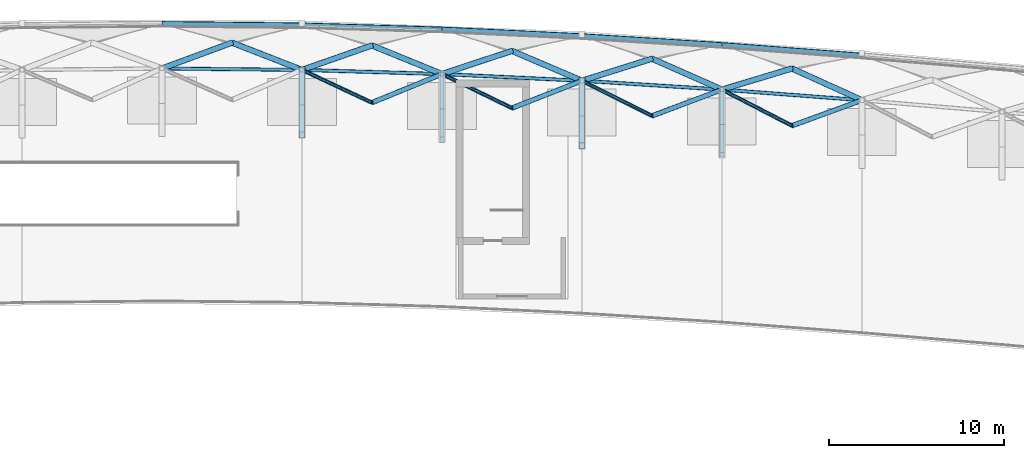
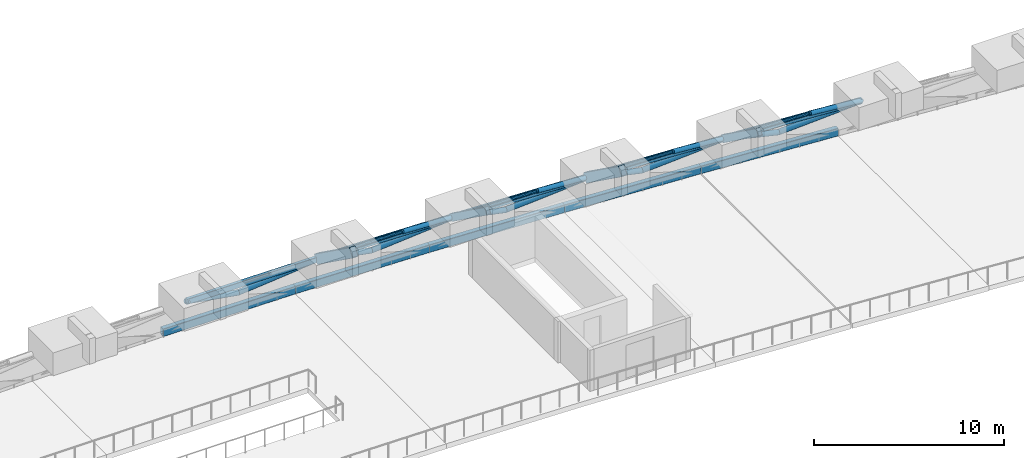
# One storey, part 19 of 67: 18 members, 14 beams.
"""IFC4 building model written with IfcOpenShell, lengths in metres."""

from ifc_helpers import new_model, si_unit, direction, frame, origin, origin_2d, place, context, subcontext, project, spatial, hollow_rectangle, hollow_circle, extrude, material, material_profile, profile_set, type_object, element, save


model = new_model("IFC4")

# Units and contexts
model_context = context("Model", 3, precision=1e-05, world=origin(), true_north=direction((0.0, 1.0)))
body_context = subcontext(model_context, "Body", "Model", "MODEL_VIEW")
ifc_project = project(units=[si_unit("LENGTHUNIT", "METRE"), si_unit("AREAUNIT", "SQUARE_METRE"), si_unit("VOLUMEUNIT", "CUBIC_METRE"), si_unit("PLANEANGLEUNIT", "RADIAN"), si_unit("MASSUNIT", "GRAM", prefix="KILO")], contexts=[model_context])

# Site, building, storey
site_placement = place(None, origin())
site = spatial("IfcSite", under=ifc_project, at=site_placement, CompositionType="ELEMENT")
building_placement = place(site_placement, origin())
building = spatial("IfcBuilding", under=site, at=building_placement, Name="Kenh Van Central Station", CompositionType="ELEMENT")
storey_placement = place(building_placement, frame((0.0, 0.0, 10.800048828125)))
storey = spatial("IfcBuildingStorey", under=building, at=storey_placement, Name="L02", CompositionType="ELEMENT", Elevation=10.800048828125)

# Beams
ifc_material = material(Name="White fluoropolymer structural steel S355", Category="steel")
ifc_material_profile_1 = material_profile(ifc_material, hollow_rectangle(XDim=0.35009765625, YDim=0.60009765625, WallThickness=0.01611328125, InnerFilletRadius=0.01611328125, OuterFilletRadius=0.031982421875, at=origin_2d()), Name="RHS 600x350x16")
ifc_profile_set_1 = profile_set([ifc_material_profile_1], Name="White fluoropolymer structural steel S355")
beam_type_1 = type_object("IfcBeamType", Name="BM-VAULT-ARCH600", PredefinedType="BEAM", material=ifc_profile_set_1)
for number, where, z_axis, x_axis, name in (
    (1, (96.0, 108.850341796875, 6.428466796875), (0.0, 0.812520116944, -0.58293315188), (-1.0, 0.0, 0.0), "Vault transverse arch 104"),
    (2, (112.0, 108.232421875, 6.428466796875), (0.0, 0.812520116944, -0.58293315188), (-1.0, 0.0, 0.0), "Vault transverse arch 128"),
):
    element("IfcBeam", number, at=place(storey_placement, frame(where, z_axis=z_axis, x_axis=x_axis)), inside=storey, type_object=beam_type_1, Name=name, PredefinedType="BEAM", context=body_context, shape_type="SweptSolid", body=[
        extrude(hollow_rectangle(XDim=0.35009765625, YDim=0.60009765625, WallThickness=0.01611328125, InnerFilletRadius=0.01611328125, OuterFilletRadius=0.031982421875, at=origin_2d()), origin(), (0.0, 0.0, 1.0), 4.57470703125),
    ])
ifc_material_profile_2 = material_profile(ifc_material, hollow_rectangle(XDim=0.199951171875, YDim=0.35009765625, WallThickness=0.010009765625, InnerFilletRadius=0.010009765625, OuterFilletRadius=0.02001953125, at=origin_2d()), Name="RHS 350x200x10")
ifc_profile_set_2 = profile_set([ifc_material_profile_2], Name="White fluoropolymer structural steel S355")
beam_type_2 = type_object("IfcBeamType", Name="BM-VAULT-EAVE350", PredefinedType="BEAM", material=ifc_profile_set_2)
beam_1_placement = place(storey_placement, frame((88.0, 112.647705078125, 3.76171875), z_axis=(0.999949600167, -0.010039777175, 0.0), x_axis=(0.010039777175, 0.999949600167, 0.0)))
element("IfcBeam", 3, at=beam_1_placement, inside=storey, type_object=beam_type_2, Name="Vault portal header beam 46", PredefinedType="BEAM", context=body_context, shape_type="SweptSolid", body=[
    extrude(hollow_rectangle(XDim=0.199951171875, YDim=0.35009765625, WallThickness=0.010009765625, InnerFilletRadius=0.010009765625, OuterFilletRadius=0.02001953125, at=origin_2d()), origin(), (0.0, 0.0, 1.0), 8.00048828125),
])
beam_2_placement = place(storey_placement, frame((96.0, 112.5673828125, 3.76171875), z_axis=(0.999563048769, -0.029558611885, 0.0), x_axis=(0.029558611885, 0.999563048769, 0.0)))
element("IfcBeam", 4, at=beam_2_placement, inside=storey, type_object=beam_type_2, Name="Vault portal header beam 47", PredefinedType="BEAM", context=body_context, shape_type="SweptSolid", body=[
    extrude(hollow_rectangle(XDim=0.199951171875, YDim=0.35009765625, WallThickness=0.010009765625, InnerFilletRadius=0.010009765625, OuterFilletRadius=0.02001953125, at=origin_2d()), origin(), (0.0, 0.0, 1.0), 8.00341796875),
])
beam_3_placement = place(storey_placement, frame((104.0, 112.330810546875, 3.76171875), z_axis=(0.998865791667, -0.04761439107, 0.0), x_axis=(0.04761439107, 0.998865791667, 0.0)))
element("IfcBeam", 5, at=beam_3_placement, inside=storey, type_object=beam_type_2, Name="Vault portal header beam 48", PredefinedType="BEAM", context=body_context, shape_type="SweptSolid", body=[
    extrude(hollow_rectangle(XDim=0.199951171875, YDim=0.35009765625, WallThickness=0.010009765625, InnerFilletRadius=0.010009765625, OuterFilletRadius=0.02001953125, at=origin_2d()), origin(), (0.0, 0.0, 1.0), 8.009033203125),
])
beam_4_placement = place(storey_placement, frame((112.0, 111.949462890625, 3.76171875), z_axis=(0.998001046855, -0.063197392951, 0.0), x_axis=(0.063197392951, 0.998001046855, 0.0)))
element("IfcBeam", 6, at=beam_4_placement, inside=storey, type_object=beam_type_2, Name="Vault portal header beam 49", PredefinedType="BEAM", context=body_context, shape_type="SweptSolid", body=[
    extrude(hollow_rectangle(XDim=0.199951171875, YDim=0.35009765625, WallThickness=0.010009765625, InnerFilletRadius=0.010009765625, OuterFilletRadius=0.02001953125, at=origin_2d()), origin(), (0.0, 0.0, 1.0), 8.01611328125),
])
beam_5_placement = place(storey_placement, frame((120.0, 111.44287109375, 3.76171875), z_axis=(0.997134485958, -0.075649302127, 0.0), x_axis=(0.075649302127, 0.997134485958, 0.0)))
element("IfcBeam", 7, at=beam_5_placement, inside=storey, type_object=beam_type_2, Name="Vault portal header beam 50", PredefinedType="BEAM", context=body_context, shape_type="SweptSolid", body=[
    extrude(hollow_rectangle(XDim=0.199951171875, YDim=0.35009765625, WallThickness=0.010009765625, InnerFilletRadius=0.010009765625, OuterFilletRadius=0.02001953125, at=origin_2d()), origin(), (0.0, 0.0, 1.0), 8.02294921875),
])
ifc_material_profile_3 = material_profile(ifc_material, hollow_rectangle(XDim=0.300048828125, YDim=0.5, WallThickness=0.01611328125, InnerFilletRadius=0.01611328125, OuterFilletRadius=0.031982421875, at=origin_2d()), Name="RHS 500x300x16")
ifc_profile_set_3 = profile_set([ifc_material_profile_3], Name="White fluoropolymer structural steel S355")
beam_type_3 = type_object("IfcBeamType", Name="BM-VAULT-RING500", PredefinedType="BEAM", material=ifc_profile_set_3)
beam_6_placement = place(storey_placement, frame((88.0, 115.199951171875, 0.260009765625), z_axis=(0.99994990606, -0.010009264196, 0.0), x_axis=(0.010009264196, 0.99994990606, 0.0)))
element("IfcBeam", 8, at=beam_6_placement, inside=storey, type_object=beam_type_3, Name="Vault springing girder 18", PredefinedType="BEAM", context=body_context, shape_type="SweptSolid", body=[
    extrude(hollow_rectangle(XDim=0.300048828125, YDim=0.5, WallThickness=0.01611328125, InnerFilletRadius=0.01611328125, OuterFilletRadius=0.031982421875, at=origin_2d()), origin(), (0.0, 0.0, 1.0), 8.00048828125),
])
beam_7_placement = place(storey_placement, frame((96.0, 115.119873046875, 0.260009765625), z_axis=(0.999562147036, -0.029589089436, 0.0), x_axis=(0.029589089436, 0.999562147036, 0.0)))
element("IfcBeam", 9, at=beam_7_placement, inside=storey, type_object=beam_type_3, Name="Vault springing girder 19", PredefinedType="BEAM", context=body_context, shape_type="SweptSolid", body=[
    extrude(hollow_rectangle(XDim=0.300048828125, YDim=0.5, WallThickness=0.01611328125, InnerFilletRadius=0.01611328125, OuterFilletRadius=0.031982421875, at=origin_2d()), origin(), (0.0, 0.0, 1.0), 8.00341796875),
])
beam_8_placement = place(storey_placement, frame((104.0, 114.883056640625, 0.260009765625), z_axis=(0.998867240988, -0.047583977148, 0.0), x_axis=(0.047583977148, 0.998867240988, 0.0)))
element("IfcBeam", 10, at=beam_8_placement, inside=storey, type_object=beam_type_3, Name="Vault springing girder 20", PredefinedType="BEAM", context=body_context, shape_type="SweptSolid", body=[
    extrude(hollow_rectangle(XDim=0.300048828125, YDim=0.5, WallThickness=0.01611328125, InnerFilletRadius=0.01611328125, OuterFilletRadius=0.031982421875, at=origin_2d()), origin(), (0.0, 0.0, 1.0), 8.009033203125),
])
beam_9_placement = place(storey_placement, frame((112.0, 114.501953125, 0.260009765625), z_axis=(0.997999125469, -0.063227727798, 0.0), x_axis=(0.063227727798, 0.997999125469, 0.0)))
element("IfcBeam", 11, at=beam_9_placement, inside=storey, type_object=beam_type_3, Name="Vault springing girder 21", PredefinedType="BEAM", context=body_context, shape_type="SweptSolid", body=[
    extrude(hollow_rectangle(XDim=0.300048828125, YDim=0.5, WallThickness=0.01611328125, InnerFilletRadius=0.01611328125, OuterFilletRadius=0.031982421875, at=origin_2d()), origin(), (0.0, 0.0, 1.0), 8.01611328125),
])
beam_10_placement = place(storey_placement, frame((120.0, 113.9951171875, 0.260009765625), z_axis=(0.997136780926, -0.075619046039, 0.0), x_axis=(0.075619046039, 0.997136780926, 0.0)))
element("IfcBeam", 12, at=beam_10_placement, inside=storey, type_object=beam_type_3, Name="Vault springing girder 22", PredefinedType="BEAM", context=body_context, shape_type="SweptSolid", body=[
    extrude(hollow_rectangle(XDim=0.300048828125, YDim=0.5, WallThickness=0.01611328125, InnerFilletRadius=0.01611328125, OuterFilletRadius=0.031982421875, at=origin_2d()), origin(), (0.0, 0.0, 1.0), 8.02294921875),
])
ifc_material_profile_4 = material_profile(ifc_material, hollow_rectangle(XDim=0.25, YDim=0.449951171875, WallThickness=0.012451171875, InnerFilletRadius=0.012451171875, OuterFilletRadius=0.02490234375, at=origin_2d()), Name="RHS 450x250x12.5")
ifc_profile_set_4 = profile_set([ifc_material_profile_4], Name="White fluoropolymer structural steel S355")
beam_type_4 = type_object("IfcBeamType", Name="BM-VAULT-SUB450", PredefinedType="BEAM", material=ifc_profile_set_4)
for number, where, z_axis, x_axis, name in (
    (13, (104.0, 108.61376953125, 6.428466796875), (0.0, 0.812520116944, -0.58293315188), (-1.0, 0.0, 0.0), "Vault transverse arch 116"),
    (14, (120.0, 107.725830078125, 6.428466796875), (0.0, 0.812520116944, -0.58293315188), (-1.0, 0.0, 0.0), "Vault transverse arch 140"),
):
    element("IfcBeam", number, at=place(storey_placement, frame(where, z_axis=z_axis, x_axis=x_axis)), inside=storey, type_object=beam_type_4, Name=name, PredefinedType="BEAM", context=body_context, shape_type="SweptSolid", body=[
        extrude(hollow_rectangle(XDim=0.25, YDim=0.449951171875, WallThickness=0.012451171875, InnerFilletRadius=0.012451171875, OuterFilletRadius=0.02490234375, at=origin_2d()), origin(), (0.0, 0.0, 1.0), 4.57470703125),
    ])

# Members
ifc_material_profile_5 = material_profile(ifc_material, hollow_circle(Radius=0.109619140625, WallThickness=0.008056640625, at=origin_2d()), Name="CHS 219.1x8")
ifc_profile_set_5 = profile_set([ifc_material_profile_5], Name="White fluoropolymer structural steel S355")
member_type_1 = type_object("IfcMemberType", Name="MEM-VAULT-BRC219", PredefinedType="BRACE", material=ifc_profile_set_5)
member_1_placement = place(storey_placement, frame((96.0, 112.5673828125, 3.76171875), z_axis=(0.860370385591, -0.402458412791, 0.312713967663), x_axis=(0.423708521043, 0.905798591959, 0.0)))
element("IfcMember", 15, at=member_1_placement, inside=storey, type_object=member_type_1, Name="Vault diamond grid member 0391", PredefinedType="BRACE", context=body_context, shape_type="SweptSolid", body=[
    extrude(hollow_circle(Radius=0.109619140625, WallThickness=0.008056640625, at=origin_2d()), origin(), (0.0, 0.0, 1.0), 4.649169921875),
])
member_2_placement = place(storey_placement, frame((104.0, 112.330810546875, 3.76171875), z_axis=(0.854787848149, -0.415707371463, 0.31068491429), x_axis=(0.437350556667, 0.899291104472, 0.0)))
element("IfcMember", 16, at=member_2_placement, inside=storey, type_object=member_type_1, Name="Vault diamond grid member 0439", PredefinedType="BRACE", context=body_context, shape_type="SweptSolid", body=[
    extrude(hollow_circle(Radius=0.109619140625, WallThickness=0.008056640625, at=origin_2d()), origin(), (0.0, 0.0, 1.0), 4.679443359375),
])
member_3_placement = place(storey_placement, frame((112.0, 111.949462890625, 3.76171875), z_axis=(0.84976138446, -0.427214631579, 0.308857973905), x_axis=(0.449175650929, 0.893443470295, 0.0)))
element("IfcMember", 17, at=member_3_placement, inside=storey, type_object=member_type_1, Name="Vault diamond grid member 0487", PredefinedType="BRACE", context=body_context, shape_type="SweptSolid", body=[
    extrude(hollow_circle(Radius=0.109619140625, WallThickness=0.008056640625, at=origin_2d()), origin(), (0.0, 0.0, 1.0), 4.707275390625),
])
member_4_placement = place(storey_placement, frame((120.0, 111.44287109375, 3.76171875), z_axis=(0.845613651384, -0.436432436286, 0.307350420776), x_axis=(0.458631867239, 0.8886263615, 0.0)))
element("IfcMember", 18, at=member_4_placement, inside=storey, type_object=member_type_1, Name="Vault diamond grid member 0535", PredefinedType="BRACE", context=body_context, shape_type="SweptSolid", body=[
    extrude(hollow_circle(Radius=0.109619140625, WallThickness=0.008056640625, at=origin_2d()), origin(), (0.0, 0.0, 1.0), 4.730224609375),
])
ifc_material_profile_6 = material_profile(ifc_material, hollow_circle(Radius=0.136474609375, WallThickness=0.010009765625, at=origin_2d()), Name="CHS 273x10")
ifc_profile_set_6 = profile_set([ifc_material_profile_6], Name="White fluoropolymer structural steel S355")
member_type_2 = type_object("IfcMemberType", Name="MEM-VAULT-CHD273", PredefinedType="CHORD", material=ifc_profile_set_6)
member_5_placement = place(storey_placement, frame((100.0, 110.6962890625, 5.215576171875), z_axis=(0.877366799489, 0.358518720861, -0.318891558286), x_axis=(-0.378267616133, 0.925696284202, 0.0)))
element("IfcMember", 19, at=member_5_placement, inside=storey, type_object=member_type_2, Name="Vault diamond grid member 0413", PredefinedType="CHORD", context=body_context, shape_type="SweptSolid", body=[
    extrude(hollow_circle(Radius=0.136474609375, WallThickness=0.010009765625, at=origin_2d()), origin(), (0.0, 0.0, 1.0), 4.55908203125),
])
member_6_placement = place(storey_placement, frame((108.0, 110.385498046875, 5.215576171875), z_axis=(0.882168888415, 0.344920281933, -0.320636946442), x_axis=(-0.364146423324, 0.931341710856, 0.0)))
element("IfcMember", 20, at=member_6_placement, inside=storey, type_object=member_type_2, Name="Vault diamond grid member 0461", PredefinedType="CHORD", context=body_context, shape_type="SweptSolid", body=[
    extrude(hollow_circle(Radius=0.136474609375, WallThickness=0.010009765625, at=origin_2d()), origin(), (0.0, 0.0, 1.0), 4.5341796875),
])
member_7_placement = place(storey_placement, frame((116.0, 109.9384765625, 5.215576171875), z_axis=(0.886116632399, 0.333267253958, -0.322071810665), x_axis=(-0.352024810941, 0.935990669014, 0.0)))
element("IfcMember", 21, at=member_7_placement, inside=storey, type_object=member_type_2, Name="Vault diamond grid member 0509", PredefinedType="CHORD", context=body_context, shape_type="SweptSolid", body=[
    extrude(hollow_circle(Radius=0.136474609375, WallThickness=0.010009765625, at=origin_2d()), origin(), (0.0, 0.0, 1.0), 4.51416015625),
])
member_8_placement = place(storey_placement, frame((124.0, 109.37841796875, 5.215576171875), z_axis=(0.88915096168, 0.32398872322, -0.323174681202), x_axis=(-0.342359990042, 0.939568857093, 0.0)))
element("IfcMember", 22, at=member_8_placement, inside=storey, type_object=member_type_2, Name="Vault diamond grid member 0557", PredefinedType="CHORD", context=body_context, shape_type="SweptSolid", body=[
    extrude(hollow_circle(Radius=0.136474609375, WallThickness=0.010009765625, at=origin_2d()), origin(), (0.0, 0.0, 1.0), 4.498779296875),
])
ifc_material_profile_7 = material_profile(ifc_material, hollow_circle(Radius=0.161865234375, WallThickness=0.010009765625, at=origin_2d()), Name="CHS 323.9x10")
ifc_profile_set_7 = profile_set([ifc_material_profile_7], Name="White fluoropolymer structural steel S355")
member_type_3 = type_object("IfcMemberType", Name="MEM-VAULT-CHD324", PredefinedType="CHORD", material=ifc_profile_set_7)
member_9_placement = place(storey_placement, frame((88.0, 112.647705078125, 3.76171875), z_axis=(0.86907125558, 0.320809506454, -0.376558645225), x_axis=(-0.346299661069, 0.938123949563, 0.0)))
element("IfcMember", 23, at=member_9_placement, inside=storey, type_object=member_type_3, Name="Vault diamond grid member 0344", PredefinedType="CHORD", context=body_context, shape_type="SweptSolid", body=[
    extrude(hollow_circle(Radius=0.161865234375, WallThickness=0.010009765625, at=origin_2d()), origin(), (0.0, 0.0, 1.0), 4.6025390625),
])
member_10_placement = place(storey_placement, frame((92.0, 114.124267578125, 2.028564453125), z_axis=(0.86411604824, -0.336332277809, 0.374411610501), x_axis=(0.362715237916, 0.931900024779, 0.0)))
element("IfcMember", 24, at=member_10_placement, inside=storey, type_object=member_type_3, Name="Vault diamond grid member 0368", PredefinedType="CHORD", context=body_context, shape_type="SweptSolid", body=[
    extrude(hollow_circle(Radius=0.161865234375, WallThickness=0.010009765625, at=origin_2d()), origin(), (0.0, 0.0, 1.0), 4.62890625),
])
member_11_placement = place(storey_placement, frame((96.0, 112.5673828125, 3.76171875), z_axis=(0.873772408501, 0.305265702286, -0.378595601071), x_axis=(-0.329816521243, 0.944045053117, 0.0)))
element("IfcMember", 25, at=member_11_placement, inside=storey, type_object=member_type_3, Name="Vault diamond grid member 0390", PredefinedType="CHORD", context=body_context, shape_type="SweptSolid", body=[
    extrude(hollow_circle(Radius=0.161865234375, WallThickness=0.010009765625, at=origin_2d()), origin(), (0.0, 0.0, 1.0), 4.577880859375),
])
member_12_placement = place(storey_placement, frame((100.0, 113.96484375, 2.028564453125), z_axis=(0.859194672831, -0.350988155839, 0.372279234767), x_axis=(0.378170778657, 0.925735849025, 0.0)))
element("IfcMember", 26, at=member_12_placement, inside=storey, type_object=member_type_3, Name="Vault diamond grid member 0416", PredefinedType="CHORD", context=body_context, shape_type="SweptSolid", body=[
    extrude(hollow_circle(Radius=0.161865234375, WallThickness=0.010009765625, at=origin_2d()), origin(), (0.0, 0.0, 1.0), 4.655517578125),
])
member_13_placement = place(storey_placement, frame((104.0, 112.330810546875, 3.76171875), z_axis=(0.878012665716, 0.290455850109, -0.380432856074), x_axis=(-0.314071330946, 0.949399388602, 0.0)))
element("IfcMember", 27, at=member_13_placement, inside=storey, type_object=member_type_3, Name="Vault diamond grid member 0438", PredefinedType="CHORD", context=body_context, shape_type="SweptSolid", body=[
    extrude(hollow_circle(Radius=0.161865234375, WallThickness=0.010009765625, at=origin_2d()), origin(), (0.0, 0.0, 1.0), 4.5556640625),
])
member_14_placement = place(storey_placement, frame((108.0, 113.654052734375, 2.028564453125), z_axis=(0.854563324393, -0.3641699909, 0.370272524406), x_axis=(0.3920345646, 0.919950487884, 0.0)))
element("IfcMember", 28, at=member_14_placement, inside=storey, type_object=member_type_3, Name="Vault diamond grid member 0464", PredefinedType="CHORD", context=body_context, shape_type="SweptSolid", body=[
    extrude(hollow_circle(Radius=0.161865234375, WallThickness=0.010009765625, at=origin_2d()), origin(), (0.0, 0.0, 1.0), 4.6806640625),
])
member_15_placement = place(storey_placement, frame((112.0, 111.949462890625, 3.76171875), z_axis=(0.88161987045, 0.277174313519, -0.38199581667), x_axis=(-0.299918951349, 0.953964686255, 0.0)))
element("IfcMember", 29, at=member_15_placement, inside=storey, type_object=member_type_3, Name="Vault diamond grid member 0486", PredefinedType="CHORD", context=body_context, shape_type="SweptSolid", body=[
    extrude(hollow_circle(Radius=0.161865234375, WallThickness=0.010009765625, at=origin_2d()), origin(), (0.0, 0.0, 1.0), 4.537109375),
])
member_16_placement = place(storey_placement, frame((116.0, 113.20703125, 2.028564453125), z_axis=(0.850561786989, -0.375131803759, 0.368538703969), x_axis=(0.40353571199, 0.914963894997, 0.0)))
element("IfcMember", 30, at=member_16_placement, inside=storey, type_object=member_type_3, Name="Vault diamond grid member 0512", PredefinedType="CHORD", context=body_context, shape_type="SweptSolid", body=[
    extrude(hollow_circle(Radius=0.161865234375, WallThickness=0.010009765625, at=origin_2d()), origin(), (0.0, 0.0, 1.0), 4.702880859375),
])
member_17_placement = place(storey_placement, frame((120.0, 111.44287109375, 3.76171875), z_axis=(0.884451893793, 0.266242476818, -0.383222900026), x_axis=(-0.288248555334, 0.957555622587, 0.0)))
element("IfcMember", 31, at=member_17_placement, inside=storey, type_object=member_type_3, Name="Vault diamond grid member 0534", PredefinedType="CHORD", context=body_context, shape_type="SweptSolid", body=[
    extrude(hollow_circle(Radius=0.161865234375, WallThickness=0.010009765625, at=origin_2d()), origin(), (0.0, 0.0, 1.0), 4.5224609375),
])
member_18_placement = place(storey_placement, frame((124.0, 112.64697265625, 2.028564453125), z_axis=(0.847357370048, -0.383648496766, 0.367150266722), x_axis=(0.412453577027, 0.910978620384, 0.0)))
element("IfcMember", 32, at=member_18_placement, inside=storey, type_object=member_type_3, Name="Vault diamond grid member 0560", PredefinedType="CHORD", context=body_context, shape_type="SweptSolid", body=[
    extrude(hollow_circle(Radius=0.161865234375, WallThickness=0.010009765625, at=origin_2d()), origin(), (0.0, 0.0, 1.0), 4.720458984375),
])

save(model, "model.ifc")
